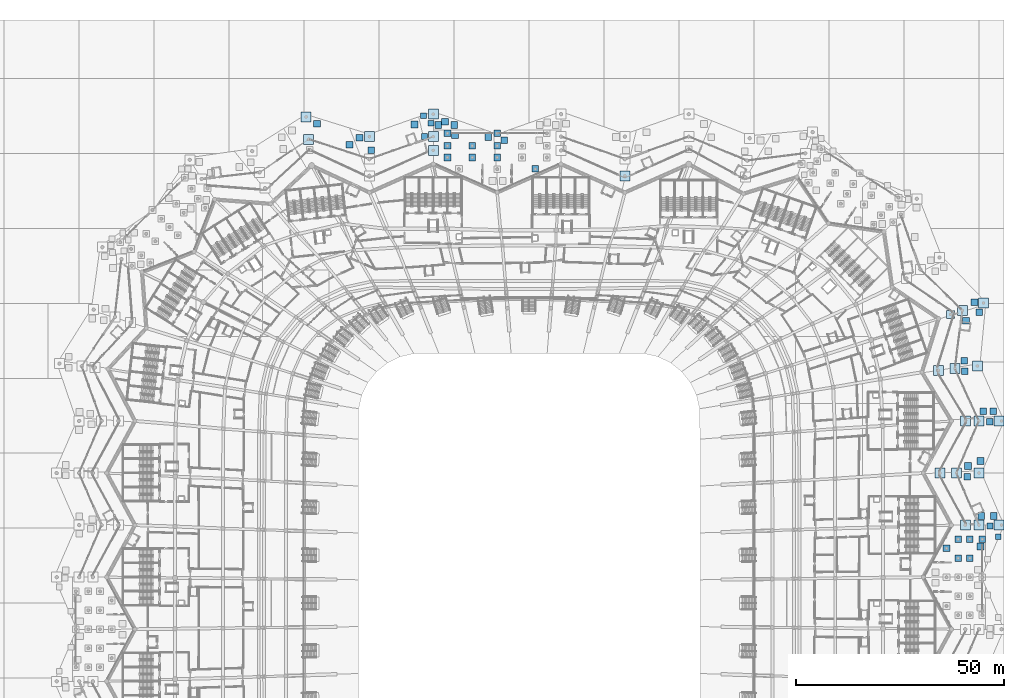
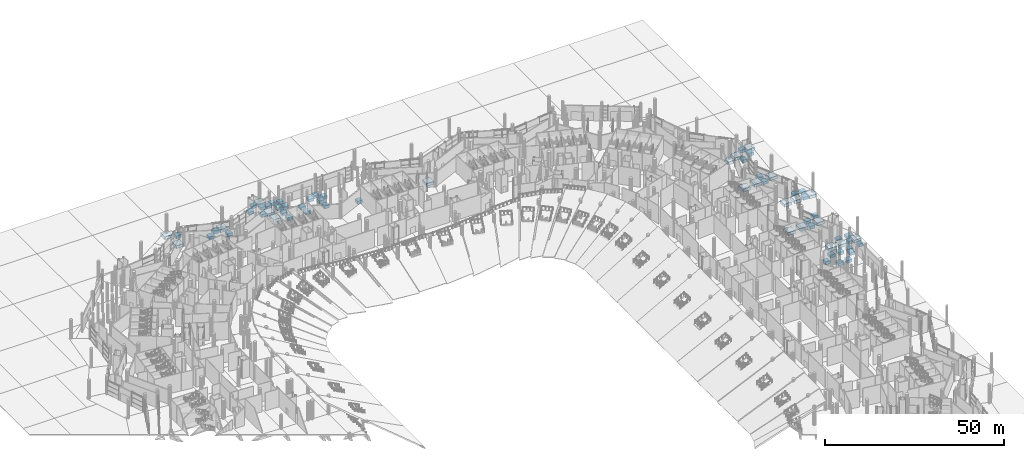
# One storey, part 7 of 255: 67 footings.
"""IFC4 building model written with IfcOpenShell, lengths in metres."""

from ifc_helpers import new_model, si_unit, direction, frame, origin, place, context, subcontext, project, spatial, polyline, outline, extrude, material, type_object, element, save


model = new_model("IFC4")

# Units and contexts
model_context = context("Model", 3, precision=1e-05, world=origin(), true_north=direction((0.0, 1.0)))
body_context = subcontext(model_context, "Body", "Model", "MODEL_VIEW")
ifc_project = project(units=[si_unit("LENGTHUNIT", "METRE"), si_unit("AREAUNIT", "SQUARE_METRE"), si_unit("VOLUMEUNIT", "CUBIC_METRE"), si_unit("PLANEANGLEUNIT", "RADIAN"), si_unit("MASSUNIT", "GRAM", prefix="KILO")], contexts=[model_context])

# Site, building, storey
site_placement = place(None, origin())
site = spatial("IfcSite", under=ifc_project, at=site_placement, CompositionType="ELEMENT")
building_placement = place(site_placement, origin())
building = spatial("IfcBuilding", under=site, at=building_placement, Name="Meseta Stadium", CompositionType="ELEMENT")
storey_placement = place(building_placement, origin())
storey = spatial("IfcBuildingStorey", under=building, at=storey_placement, Name="L00", CompositionType="ELEMENT", Elevation=0.0)

# Footings
ifc_material_1 = material(Name="Concrete C30/37", Category="concrete")
footing_type_1 = type_object("IfcFootingType", Name="Gate pad footing 1400", PredefinedType="PAD_FOOTING", material=ifc_material_1)
footing_1_placement = place(storey_placement, frame((0.0, 0.0, -1.300048828125)))
element("IfcFooting", 1, at=footing_1_placement, inside=storey, type_object=footing_type_1, Name="Paving pad footing", PredefinedType="PAD_FOOTING", context=body_context, shape_type="SweptSolid", body=[
    extrude(outline(polyline([(111.300048828125, 17.864990234375), (111.300048828125, 19.264892578125), (109.89990234375, 19.264892578125), (109.89990234375, 17.864990234375), (111.300048828125, 17.864990234375)])), origin(), (0.0, 0.0, 1.0), 1.0),
])
footing_2_placement = place(storey_placement, frame((0.0, 0.0, -1.300048828125)))
element("IfcFooting", 2, at=footing_2_placement, inside=storey, type_object=footing_type_1, Name="Paving pad footing", PredefinedType="PAD_FOOTING", context=body_context, shape_type="SweptSolid", body=[
    extrude(outline(polyline([(113.300048828125, 15.264892578125), (113.300048828125, 16.6650390625), (111.89990234375, 16.6650390625), (111.89990234375, 15.264892578125), (113.300048828125, 15.264892578125)])), origin(), (0.0, 0.0, 1.0), 1.0),
])
footing_3_placement = place(storey_placement, frame((0.0, 0.0, -1.300048828125)))
element("IfcFooting", 3, at=footing_3_placement, inside=storey, type_object=footing_type_1, Name="Paving pad footing", PredefinedType="PAD_FOOTING", context=body_context, shape_type="SweptSolid", body=[
    extrude(outline(polyline([(-24.4150390625, 111.325927734375), (-24.4150390625, 112.72607421875), (-25.81494140625, 112.72607421875), (-25.81494140625, 111.325927734375), (-24.4150390625, 111.325927734375)])), origin(), (0.0, 0.0, 1.0), 1.0),
])
footing_4_placement = place(storey_placement, frame((0.0, 0.0, -1.300048828125)))
element("IfcFooting", 4, at=footing_4_placement, inside=storey, type_object=footing_type_1, Name="Paving pad footing", PredefinedType="PAD_FOOTING", context=body_context, shape_type="SweptSolid", body=[
    extrude(outline(polyline([(-24.614990234375, 116.325927734375), (-24.614990234375, 117.72607421875), (-26.014892578125, 117.72607421875), (-26.014892578125, 116.325927734375), (-24.614990234375, 116.325927734375)])), origin(), (0.0, 0.0, 1.0), 1.0),
])
footing_5_placement = place(storey_placement, frame((0.0, 0.0, -1.300048828125)))
element("IfcFooting", 5, at=footing_5_placement, inside=storey, type_object=footing_type_1, Name="Paving pad footing", PredefinedType="PAD_FOOTING", context=body_context, shape_type="SweptSolid", body=[
    extrude(outline(polyline([(-22.81494140625, 114.52587890625), (-22.81494140625, 115.926025390625), (-24.215087890625, 115.926025390625), (-24.215087890625, 114.52587890625), (-22.81494140625, 114.52587890625)])), origin(), (0.0, 0.0, 1.0), 1.0),
])
ifc_material_2 = material(Name="Concrete C30/37", Category="concrete")
footing_type_2 = type_object("IfcFootingType", Name="Gate pad footing 1600", PredefinedType="PAD_FOOTING", material=ifc_material_2)
footing_6_placement = place(storey_placement, frame((0.0, 0.0, -1.300048828125)))
element("IfcFooting", 6, at=footing_6_placement, inside=storey, type_object=footing_type_2, Name="Gate 1 pad footing", PredefinedType="PAD_FOOTING", context=body_context, shape_type="SweptSolid", body=[
    extrude(outline(polyline([(101.0, 12.367431640625), (101.0, 13.96728515625), (99.39990234375, 13.96728515625), (99.39990234375, 12.367431640625), (101.0, 12.367431640625)])), origin(), (0.0, 0.0, 1.0), 1.0),
])
footing_7_placement = place(storey_placement, frame((0.0, 0.0, -1.300048828125)))
element("IfcFooting", 7, at=footing_7_placement, inside=storey, type_object=footing_type_2, Name="Gate 1 pad footing", PredefinedType="PAD_FOOTING", context=body_context, shape_type="SweptSolid", body=[
    extrude(outline(polyline([(103.800048828125, 10.0), (103.800048828125, 11.60009765625), (102.199951171875, 11.60009765625), (102.199951171875, 10.0), (103.800048828125, 10.0)])), origin(), (0.0, 0.0, 1.0), 1.0),
])
footing_8_placement = place(storey_placement, frame((0.0, 0.0, -1.300048828125)))
element("IfcFooting", 8, at=footing_8_placement, inside=storey, type_object=footing_type_2, Name="Gate 1 pad footing", PredefinedType="PAD_FOOTING", context=body_context, shape_type="SweptSolid", body=[
    extrude(outline(polyline([(103.800048828125, 14.550048828125), (103.800048828125, 16.14990234375), (102.199951171875, 16.14990234375), (102.199951171875, 14.550048828125), (103.800048828125, 14.550048828125)])), origin(), (0.0, 0.0, 1.0), 1.0),
])
footing_9_placement = place(storey_placement, frame((0.0, 0.0, -1.300048828125)))
element("IfcFooting", 9, at=footing_9_placement, inside=storey, type_object=footing_type_2, Name="Gate 1 pad footing", PredefinedType="PAD_FOOTING", context=body_context, shape_type="SweptSolid", body=[
    extrude(outline(polyline([(106.60009765625, 10.0), (106.60009765625, 11.60009765625), (105.0, 11.60009765625), (105.0, 10.0), (106.60009765625, 10.0)])), origin(), (0.0, 0.0, 1.0), 1.0),
])
footing_10_placement = place(storey_placement, frame((0.0, 0.0, -1.300048828125)))
element("IfcFooting", 10, at=footing_10_placement, inside=storey, type_object=footing_type_2, Name="Gate 1 pad footing", PredefinedType="PAD_FOOTING", context=body_context, shape_type="SweptSolid", body=[
    extrude(outline(polyline([(106.60009765625, 14.550048828125), (106.60009765625, 16.14990234375), (105.0, 16.14990234375), (105.0, 14.550048828125), (106.60009765625, 14.550048828125)])), origin(), (0.0, 0.0, 1.0), 1.0),
])
footing_11_placement = place(storey_placement, frame((0.0, 0.0, -1.300048828125)))
element("IfcFooting", 11, at=footing_11_placement, inside=storey, type_object=footing_type_2, Name="Gate 1 pad footing", PredefinedType="PAD_FOOTING", context=body_context, shape_type="SweptSolid", body=[
    extrude(outline(polyline([(109.60009765625, 14.550048828125), (109.60009765625, 16.14990234375), (108.0, 16.14990234375), (108.0, 14.550048828125), (109.60009765625, 14.550048828125)])), origin(), (0.0, 0.0, 1.0), 1.0),
])
footing_12_placement = place(storey_placement, frame((0.0, 0.0, -1.300048828125)))
element("IfcFooting", 12, at=footing_12_placement, inside=storey, type_object=footing_type_2, Name="Gate 3 pad footing", PredefinedType="PAD_FOOTING", context=body_context, shape_type="SweptSolid", body=[
    extrude(outline(polyline([(2.28857421875, 103.46337890625), (2.28857421875, 105.0634765625), (0.688720703125, 105.0634765625), (0.688720703125, 103.46337890625), (2.28857421875, 103.46337890625)])), origin(), (0.0, 0.0, 1.0), 1.0),
])
footing_13_placement = place(storey_placement, frame((0.0, 0.0, -1.300048828125)))
element("IfcFooting", 13, at=footing_13_placement, inside=storey, type_object=footing_type_2, Name="Gate 3 pad footing", PredefinedType="PAD_FOOTING", context=body_context, shape_type="SweptSolid", body=[
    extrude(outline(polyline([(-6.86669921875, 106.199951171875), (-6.86669921875, 107.800048828125), (-8.466796875, 107.800048828125), (-8.466796875, 106.199951171875), (-6.86669921875, 106.199951171875)])), origin(), (0.0, 0.0, 1.0), 1.0),
])
footing_14_placement = place(storey_placement, frame((0.0, 0.0, -1.300048828125)))
element("IfcFooting", 14, at=footing_14_placement, inside=storey, type_object=footing_type_2, Name="Gate 3 pad footing", PredefinedType="PAD_FOOTING", context=body_context, shape_type="SweptSolid", body=[
    extrude(outline(polyline([(-12.833251953125, 106.199951171875), (-12.833251953125, 107.800048828125), (-14.433349609375, 107.800048828125), (-14.433349609375, 106.199951171875), (-12.833251953125, 106.199951171875)])), origin(), (0.0, 0.0, 1.0), 1.0),
])
footing_15_placement = place(storey_placement, frame((0.0, 0.0, -1.300048828125)))
element("IfcFooting", 15, at=footing_15_placement, inside=storey, type_object=footing_type_2, Name="Gate 3 pad footing", PredefinedType="PAD_FOOTING", context=body_context, shape_type="SweptSolid", body=[
    extrude(outline(polyline([(-18.800048828125, 106.199951171875), (-18.800048828125, 107.800048828125), (-20.39990234375, 107.800048828125), (-20.39990234375, 106.199951171875), (-18.800048828125, 106.199951171875)])), origin(), (0.0, 0.0, 1.0), 1.0),
])
footing_16_placement = place(storey_placement, frame((0.0, 0.0, -1.300048828125)))
element("IfcFooting", 16, at=footing_16_placement, inside=storey, type_object=footing_type_2, Name="Gate 3 pad footing", PredefinedType="PAD_FOOTING", context=body_context, shape_type="SweptSolid", body=[
    extrude(outline(polyline([(-6.86669921875, 109.0), (-6.86669921875, 110.60009765625), (-8.466796875, 110.60009765625), (-8.466796875, 109.0), (-6.86669921875, 109.0)])), origin(), (0.0, 0.0, 1.0), 1.0),
])
footing_17_placement = place(storey_placement, frame((0.0, 0.0, -1.300048828125)))
element("IfcFooting", 17, at=footing_17_placement, inside=storey, type_object=footing_type_2, Name="Gate 3 pad footing", PredefinedType="PAD_FOOTING", context=body_context, shape_type="SweptSolid", body=[
    extrude(outline(polyline([(-12.833251953125, 109.0), (-12.833251953125, 110.60009765625), (-14.433349609375, 110.60009765625), (-14.433349609375, 109.0), (-12.833251953125, 109.0)])), origin(), (0.0, 0.0, 1.0), 1.0),
])
footing_18_placement = place(storey_placement, frame((0.0, 0.0, -1.300048828125)))
element("IfcFooting", 18, at=footing_18_placement, inside=storey, type_object=footing_type_2, Name="Gate 3 pad footing", PredefinedType="PAD_FOOTING", context=body_context, shape_type="SweptSolid", body=[
    extrude(outline(polyline([(-18.800048828125, 109.0), (-18.800048828125, 110.60009765625), (-20.39990234375, 110.60009765625), (-20.39990234375, 109.0), (-18.800048828125, 109.0)])), origin(), (0.0, 0.0, 1.0), 1.0),
])
footing_19_placement = place(storey_placement, frame((0.0, 0.0, -1.300048828125)))
element("IfcFooting", 19, at=footing_19_placement, inside=storey, type_object=footing_type_2, Name="Gate 3 pad footing", PredefinedType="PAD_FOOTING", context=body_context, shape_type="SweptSolid", body=[
    extrude(outline(polyline([(-6.86669921875, 112.0), (-6.86669921875, 113.60009765625), (-8.466796875, 113.60009765625), (-8.466796875, 112.0), (-6.86669921875, 112.0)])), origin(), (0.0, 0.0, 1.0), 1.0),
])
footing_20_placement = place(storey_placement, frame((0.0, 0.0, -1.300048828125)))
element("IfcFooting", 20, at=footing_20_placement, inside=storey, type_object=footing_type_2, Name="Gate 3 pad footing", PredefinedType="PAD_FOOTING", context=body_context, shape_type="SweptSolid", body=[
    extrude(outline(polyline([(-18.800048828125, 112.0), (-18.800048828125, 113.60009765625), (-20.39990234375, 113.60009765625), (-20.39990234375, 112.0), (-18.800048828125, 112.0)])), origin(), (0.0, 0.0, 1.0), 1.0),
])
ifc_material_3 = material(Name="Concrete C30/37", Category="concrete")
footing_type_3 = type_object("IfcFootingType", Name="Ring pad footing 1600", PredefinedType="PAD_FOOTING", material=ifc_material_3)
footing_21_placement = place(storey_placement, frame((0.0, 0.0, -1.300048828125)))
element("IfcFooting", 21, at=footing_21_placement, inside=storey, type_object=footing_type_3, Name="Paving pad footing", PredefinedType="PAD_FOOTING", context=body_context, shape_type="SweptSolid", body=[
    extrude(outline(polyline([(109.155029296875, 12.818115234375), (109.155029296875, 14.41796875), (107.554931640625, 14.41796875), (107.554931640625, 12.818115234375), (109.155029296875, 12.818115234375)])), origin(), (0.0, 0.0, 1.0), 1.0),
])
footing_22_placement = place(storey_placement, frame((0.0, 0.0, -1.300048828125)))
element("IfcFooting", 22, at=footing_22_placement, inside=storey, type_object=footing_type_3, Name="Paving pad footing", PredefinedType="PAD_FOOTING", context=body_context, shape_type="SweptSolid", body=[
    extrude(outline(polyline([(-21.0, 114.0), (-21.0, 115.60009765625), (-22.60009765625, 115.60009765625), (-22.60009765625, 114.0), (-21.0, 114.0)])), origin(), (0.0, 0.0, 1.0), 1.0),
])
footing_23_placement = place(storey_placement, frame((0.0, 0.0, -1.300048828125)))
element("IfcFooting", 23, at=footing_23_placement, inside=storey, type_object=footing_type_3, Name="Paving pad footing", PredefinedType="PAD_FOOTING", context=body_context, shape_type="SweptSolid", body=[
    extrude(outline(polyline([(-17.199951171875, 114.0), (-17.199951171875, 115.60009765625), (-18.800048828125, 115.60009765625), (-18.800048828125, 114.0), (-17.199951171875, 114.0)])), origin(), (0.0, 0.0, 1.0), 1.0),
])
footing_24_placement = place(storey_placement, frame((0.0, 0.0, -1.300048828125)))
element("IfcFooting", 24, at=footing_24_placement, inside=storey, type_object=footing_type_3, Name="Paving pad footing", PredefinedType="PAD_FOOTING", context=body_context, shape_type="SweptSolid", body=[
    extrude(outline(polyline([(-19.39990234375, 114.800048828125), (-19.39990234375, 116.39990234375), (-21.0, 116.39990234375), (-21.0, 114.800048828125), (-19.39990234375, 114.800048828125)])), origin(), (0.0, 0.0, 1.0), 1.0),
])
footing_25_placement = place(storey_placement, frame((0.0, 0.0, -1.300048828125)))
element("IfcFooting", 25, at=footing_25_placement, inside=storey, type_object=footing_type_3, Name="Paving pad footing", PredefinedType="PAD_FOOTING", context=body_context, shape_type="SweptSolid", body=[
    extrude(outline(polyline([(-17.0, 111.532958984375), (-17.0, 113.133056640625), (-18.60009765625, 113.133056640625), (-18.60009765625, 111.532958984375), (-17.0, 111.532958984375)])), origin(), (0.0, 0.0, 1.0), 1.0),
])
footing_26_placement = place(storey_placement, frame((0.0, 0.0, -1.300048828125)))
element("IfcFooting", 26, at=footing_26_placement, inside=storey, type_object=footing_type_3, Name="Paving pad footing", PredefinedType="PAD_FOOTING", context=body_context, shape_type="SweptSolid", body=[
    extrude(outline(polyline([(-9.0, 111.133056640625), (-9.0, 112.73291015625), (-10.60009765625, 112.73291015625), (-10.60009765625, 111.133056640625), (-9.0, 111.133056640625)])), origin(), (0.0, 0.0, 1.0), 1.0),
])
footing_27_placement = place(storey_placement, frame((0.0, 0.0, -1.300048828125)))
element("IfcFooting", 27, at=footing_27_placement, inside=storey, type_object=footing_type_3, Name="Paving pad footing", PredefinedType="PAD_FOOTING", context=body_context, shape_type="SweptSolid", body=[
    extrude(outline(polyline([(-5.132080078125, 110.3330078125), (-5.132080078125, 111.93310546875), (-6.73193359375, 111.93310546875), (-6.73193359375, 110.3330078125), (-5.132080078125, 110.3330078125)])), origin(), (0.0, 0.0, 1.0), 1.0),
])
footing_28_placement = place(storey_placement, frame((0.0, 0.0, -1.300048828125)))
element("IfcFooting", 28, at=footing_28_placement, inside=storey, type_object=footing_type_3, Name="Paving pad footing", PredefinedType="PAD_FOOTING", context=body_context, shape_type="SweptSolid", body=[
    extrude(outline(polyline([(107.718994140625, 71.472900390625), (107.718994140625, 73.072998046875), (106.118896484375, 73.072998046875), (106.118896484375, 71.472900390625), (107.718994140625, 71.472900390625)])), origin(), (0.0, 0.0, 1.0), 1.0),
])
footing_29_placement = place(storey_placement, frame((0.0, 0.0, -1.300048828125)))
element("IfcFooting", 29, at=footing_29_placement, inside=storey, type_object=footing_type_3, Name="Paving pad footing", PredefinedType="PAD_FOOTING", context=body_context, shape_type="SweptSolid", body=[
    extrude(outline(polyline([(108.89404296875, 69.006103515625), (108.89404296875, 70.60595703125), (107.2939453125, 70.60595703125), (107.2939453125, 69.006103515625), (108.89404296875, 69.006103515625)])), origin(), (0.0, 0.0, 1.0), 1.0),
])
footing_30_placement = place(storey_placement, frame((0.0, 0.0, -1.300048828125)))
element("IfcFooting", 30, at=footing_30_placement, inside=storey, type_object=footing_type_3, Name="Paving pad footing", PredefinedType="PAD_FOOTING", context=body_context, shape_type="SweptSolid", body=[
    extrude(outline(polyline([(105.2939453125, 57.406005859375), (105.2939453125, 59.006103515625), (103.694091796875, 59.006103515625), (103.694091796875, 57.406005859375), (105.2939453125, 57.406005859375)])), origin(), (0.0, 0.0, 1.0), 1.0),
])
footing_31_placement = place(storey_placement, frame((0.0, 0.0, -1.300048828125)))
element("IfcFooting", 31, at=footing_31_placement, inside=storey, type_object=footing_type_3, Name="Paving pad footing", PredefinedType="PAD_FOOTING", context=body_context, shape_type="SweptSolid", body=[
    extrude(outline(polyline([(105.694091796875, 67.006103515625), (105.694091796875, 68.60595703125), (104.093994140625, 68.60595703125), (104.093994140625, 67.006103515625), (105.694091796875, 67.006103515625)])), origin(), (0.0, 0.0, 1.0), 1.0),
])
footing_32_placement = place(storey_placement, frame((0.0, 0.0, -1.300048828125)))
element("IfcFooting", 32, at=footing_32_placement, inside=storey, type_object=footing_type_3, Name="Paving pad footing", PredefinedType="PAD_FOOTING", context=body_context, shape_type="SweptSolid", body=[
    extrude(outline(polyline([(112.2109375, 45.2919921875), (112.2109375, 46.89208984375), (110.611083984375, 46.89208984375), (110.611083984375, 45.2919921875), (112.2109375, 45.2919921875)])), origin(), (0.0, 0.0, 1.0), 1.0),
])
footing_33_placement = place(storey_placement, frame((0.0, 0.0, -1.300048828125)))
element("IfcFooting", 33, at=footing_33_placement, inside=storey, type_object=footing_type_3, Name="Paving pad footing", PredefinedType="PAD_FOOTING", context=body_context, shape_type="SweptSolid", body=[
    extrude(outline(polyline([(105.410888671875, 54.89208984375), (105.410888671875, 56.491943359375), (103.81103515625, 56.491943359375), (103.81103515625, 54.89208984375), (105.410888671875, 54.89208984375)])), origin(), (0.0, 0.0, 1.0), 1.0),
])
footing_34_placement = place(storey_placement, frame((0.0, 0.0, -1.300048828125)))
element("IfcFooting", 34, at=footing_34_placement, inside=storey, type_object=footing_type_3, Name="Paving pad footing", PredefinedType="PAD_FOOTING", context=body_context, shape_type="SweptSolid", body=[
    extrude(outline(polyline([(109.81103515625, 45.2919921875), (109.81103515625, 46.89208984375), (108.2109375, 46.89208984375), (108.2109375, 45.2919921875), (109.81103515625, 45.2919921875)])), origin(), (0.0, 0.0, 1.0), 1.0),
])
footing_35_placement = place(storey_placement, frame((0.0, 0.0, -1.300048828125)))
element("IfcFooting", 35, at=footing_35_placement, inside=storey, type_object=footing_type_3, Name="Paving pad footing", PredefinedType="PAD_FOOTING", context=body_context, shape_type="SweptSolid", body=[
    extrude(outline(polyline([(106.158935546875, 32.1279296875), (106.158935546875, 33.72802734375), (104.55908203125, 33.72802734375), (104.55908203125, 32.1279296875), (106.158935546875, 32.1279296875)])), origin(), (0.0, 0.0, 1.0), 1.0),
])
footing_36_placement = place(storey_placement, frame((0.0, 0.0, -1.300048828125)))
element("IfcFooting", 36, at=footing_36_placement, inside=storey, type_object=footing_type_3, Name="Paving pad footing", PredefinedType="PAD_FOOTING", context=body_context, shape_type="SweptSolid", body=[
    extrude(outline(polyline([(111.35888671875, 42.72802734375), (111.35888671875, 44.327880859375), (109.759033203125, 44.327880859375), (109.759033203125, 42.72802734375), (111.35888671875, 42.72802734375)])), origin(), (0.0, 0.0, 1.0), 1.0),
])
footing_37_placement = place(storey_placement, frame((0.0, 0.0, -1.300048828125)))
element("IfcFooting", 37, at=footing_37_placement, inside=storey, type_object=footing_type_3, Name="Paving pad footing", PredefinedType="PAD_FOOTING", context=body_context, shape_type="SweptSolid", body=[
    extrude(outline(polyline([(109.158935546875, 33.327880859375), (109.158935546875, 34.927978515625), (107.55908203125, 34.927978515625), (107.55908203125, 33.327880859375), (109.158935546875, 33.327880859375)])), origin(), (0.0, 0.0, 1.0), 1.0),
])
footing_38_placement = place(storey_placement, frame((0.0, 0.0, -1.300048828125)))
element("IfcFooting", 38, at=footing_38_placement, inside=storey, type_object=footing_type_3, Name="Paving pad footing", PredefinedType="PAD_FOOTING", context=body_context, shape_type="SweptSolid", body=[
    extrude(outline(polyline([(105.958984375, 29.550048828125), (105.958984375, 31.14990234375), (104.35888671875, 31.14990234375), (104.35888671875, 29.550048828125), (105.958984375, 29.550048828125)])), origin(), (0.0, 0.0, 1.0), 1.0),
])
footing_39_placement = place(storey_placement, frame((0.0, 0.0, -1.300048828125)))
element("IfcFooting", 39, at=footing_39_placement, inside=storey, type_object=footing_type_3, Name="Paving pad footing", PredefinedType="PAD_FOOTING", context=body_context, shape_type="SweptSolid", body=[
    extrude(outline(polyline([(112.35888671875, 20.14990234375), (112.35888671875, 21.75), (110.759033203125, 21.75), (110.759033203125, 20.14990234375), (112.35888671875, 20.14990234375)])), origin(), (0.0, 0.0, 1.0), 1.0),
])
footing_40_placement = place(storey_placement, frame((0.0, 0.0, -1.300048828125)))
element("IfcFooting", 40, at=footing_40_placement, inside=storey, type_object=footing_type_3, Name="Paving pad footing", PredefinedType="PAD_FOOTING", context=body_context, shape_type="SweptSolid", body=[
    extrude(outline(polyline([(109.35888671875, 20.14990234375), (109.35888671875, 21.75), (107.759033203125, 21.75), (107.759033203125, 20.14990234375), (109.35888671875, 20.14990234375)])), origin(), (0.0, 0.0, 1.0), 1.0),
])
footing_41_placement = place(storey_placement, frame((0.0, 0.0, -1.300048828125)))
element("IfcFooting", 41, at=footing_41_placement, inside=storey, type_object=footing_type_3, Name="Paving pad footing", PredefinedType="PAD_FOOTING", context=body_context, shape_type="SweptSolid", body=[
    extrude(outline(polyline([(-42.3291015625, 109.291015625), (-42.3291015625, 110.89111328125), (-43.928955078125, 110.89111328125), (-43.928955078125, 109.291015625), (-42.3291015625, 109.291015625)])), origin(), (0.0, 0.0, 1.0), 1.0),
])
footing_42_placement = place(storey_placement, frame((0.0, 0.0, -1.300048828125)))
element("IfcFooting", 42, at=footing_42_placement, inside=storey, type_object=footing_type_3, Name="Paving pad footing", PredefinedType="PAD_FOOTING", context=body_context, shape_type="SweptSolid", body=[
    extrude(outline(polyline([(-50.12890625, 114.291015625), (-50.12890625, 115.89111328125), (-51.72900390625, 115.89111328125), (-51.72900390625, 114.291015625), (-50.12890625, 114.291015625)])), origin(), (0.0, 0.0, 1.0), 1.0),
])
footing_43_placement = place(storey_placement, frame((0.0, 0.0, -1.300048828125)))
element("IfcFooting", 43, at=footing_43_placement, inside=storey, type_object=footing_type_3, Name="Paving pad footing", PredefinedType="PAD_FOOTING", context=body_context, shape_type="SweptSolid", body=[
    extrude(outline(polyline([(-26.718017578125, 114.125), (-26.718017578125, 115.72509765625), (-28.318115234375, 115.72509765625), (-28.318115234375, 114.125), (-26.718017578125, 114.125)])), origin(), (0.0, 0.0, 1.0), 1.0),
])
footing_44_placement = place(storey_placement, frame((0.0, 0.0, -1.300048828125)))
element("IfcFooting", 44, at=footing_44_placement, inside=storey, type_object=footing_type_3, Name="Paving pad footing", PredefinedType="PAD_FOOTING", context=body_context, shape_type="SweptSolid", body=[
    extrude(outline(polyline([(-39.91796875, 110.925048828125), (-39.91796875, 112.52490234375), (-41.51806640625, 112.52490234375), (-41.51806640625, 110.925048828125), (-39.91796875, 110.925048828125)])), origin(), (0.0, 0.0, 1.0), 1.0),
])
footing_45_placement = place(storey_placement, frame((0.0, 0.0, -1.300048828125)))
element("IfcFooting", 45, at=footing_45_placement, inside=storey, type_object=footing_type_3, Name="Paving pad footing", PredefinedType="PAD_FOOTING", context=body_context, shape_type="SweptSolid", body=[
    extrude(outline(polyline([(-37.117919921875, 107.925048828125), (-37.117919921875, 109.52490234375), (-38.718017578125, 109.52490234375), (-38.718017578125, 107.925048828125), (-37.117919921875, 107.925048828125)])), origin(), (0.0, 0.0, 1.0), 1.0),
])
ifc_material_4 = material(Name="Concrete C30/37", Category="concrete")
footing_type_4 = type_object("IfcFootingType", Name="Ring pad footing 2000", PredefinedType="PAD_FOOTING", material=ifc_material_4)
footing_46_placement = place(storey_placement, frame((0.0, 0.0, -1.300048828125)))
element("IfcFooting", 46, at=footing_46_placement, inside=storey, type_object=footing_type_4, Name="Ring pad footing F10M", PredefinedType="PAD_FOOTING", context=body_context, shape_type="SweptSolid", body=[
    extrude(outline(polyline([(102.140380859375, 68.29443359375), (102.140380859375, 70.29443359375), (100.140380859375, 70.29443359375), (100.140380859375, 68.29443359375), (102.140380859375, 68.29443359375)])), origin(), (0.0, 0.0, 1.0), 1.0),
])
ifc_material_5 = material(Name="Concrete C30/37", Category="concrete")
footing_type_5 = type_object("IfcFootingType", Name="Ring pad footing 2400", PredefinedType="PAD_FOOTING", material=ifc_material_5)
footing_47_placement = place(storey_placement, frame((0.0, 0.0, -1.300048828125)))
element("IfcFooting", 47, at=footing_47_placement, inside=storey, type_object=footing_type_5, Name="Ring pad footing F06M", PredefinedType="PAD_FOOTING", context=body_context, shape_type="SweptSolid", body=[
    extrude(outline(polyline([(105.89990234375, 17.550048828125), (105.89990234375, 19.949951171875), (103.5, 19.949951171875), (103.5, 17.550048828125), (105.89990234375, 17.550048828125)])), origin(), (0.0, 0.0, 1.0), 1.0),
])
footing_48_placement = place(storey_placement, frame((0.0, 0.0, -1.300048828125)))
element("IfcFooting", 48, at=footing_48_placement, inside=storey, type_object=footing_type_5, Name="Ring pad footing F06Q", PredefinedType="PAD_FOOTING", context=body_context, shape_type="SweptSolid", body=[
    extrude(outline(polyline([(109.199951171875, 17.550048828125), (109.199951171875, 19.949951171875), (106.800048828125, 19.949951171875), (106.800048828125, 17.550048828125), (109.199951171875, 17.550048828125)])), origin(), (0.0, 0.0, 1.0), 1.0),
])
footing_49_placement = place(storey_placement, frame((0.0, 0.0, -1.300048828125)))
element("IfcFooting", 49, at=footing_49_placement, inside=storey, type_object=footing_type_5, Name="Ring pad footing F06O", PredefinedType="PAD_FOOTING", context=body_context, shape_type="SweptSolid", body=[
    extrude(outline(polyline([(114.0, 17.550048828125), (114.0, 19.949951171875), (111.60009765625, 19.949951171875), (111.60009765625, 17.550048828125), (114.0, 17.550048828125)])), origin(), (0.0, 0.0, 1.0), 1.0),
])
footing_50_placement = place(storey_placement, frame((0.0, 0.0, -1.300048828125)))
element("IfcFooting", 50, at=footing_50_placement, inside=storey, type_object=footing_type_5, Name="Ring pad footing F07M", PredefinedType="PAD_FOOTING", context=body_context, shape_type="SweptSolid", body=[
    extrude(outline(polyline([(99.800048828125, 30.050048828125), (99.800048828125, 32.449951171875), (97.39990234375, 32.449951171875), (97.39990234375, 30.050048828125), (99.800048828125, 30.050048828125)])), origin(), (0.0, 0.0, 1.0), 1.0),
])
footing_51_placement = place(storey_placement, frame((0.0, 0.0, -1.300048828125)))
element("IfcFooting", 51, at=footing_51_placement, inside=storey, type_object=footing_type_5, Name="Ring pad footing F07Q", PredefinedType="PAD_FOOTING", context=body_context, shape_type="SweptSolid", body=[
    extrude(outline(polyline([(103.800048828125, 30.050048828125), (103.800048828125, 32.449951171875), (101.39990234375, 32.449951171875), (101.39990234375, 30.050048828125), (103.800048828125, 30.050048828125)])), origin(), (0.0, 0.0, 1.0), 1.0),
])
footing_52_placement = place(storey_placement, frame((0.0, 0.0, -1.300048828125)))
element("IfcFooting", 52, at=footing_52_placement, inside=storey, type_object=footing_type_5, Name="Ring pad footing F07O", PredefinedType="PAD_FOOTING", context=body_context, shape_type="SweptSolid", body=[
    extrude(outline(polyline([(109.199951171875, 30.050048828125), (109.199951171875, 32.449951171875), (106.800048828125, 32.449951171875), (106.800048828125, 30.050048828125), (109.199951171875, 30.050048828125)])), origin(), (0.0, 0.0, 1.0), 1.0),
])
footing_53_placement = place(storey_placement, frame((0.0, 0.0, -1.300048828125)))
element("IfcFooting", 53, at=footing_53_placement, inside=storey, type_object=footing_type_5, Name="Ring pad footing F08M", PredefinedType="PAD_FOOTING", context=body_context, shape_type="SweptSolid", body=[
    extrude(outline(polyline([(105.89990234375, 42.550048828125), (105.89990234375, 44.949951171875), (103.5, 44.949951171875), (103.5, 42.550048828125), (105.89990234375, 42.550048828125)])), origin(), (0.0, 0.0, 1.0), 1.0),
])
footing_54_placement = place(storey_placement, frame((0.0, 0.0, -1.300048828125)))
element("IfcFooting", 54, at=footing_54_placement, inside=storey, type_object=footing_type_5, Name="Ring pad footing F08Q", PredefinedType="PAD_FOOTING", context=body_context, shape_type="SweptSolid", body=[
    extrude(outline(polyline([(109.199951171875, 42.550048828125), (109.199951171875, 44.949951171875), (106.800048828125, 44.949951171875), (106.800048828125, 42.550048828125), (109.199951171875, 42.550048828125)])), origin(), (0.0, 0.0, 1.0), 1.0),
])
footing_55_placement = place(storey_placement, frame((0.0, 0.0, -1.300048828125)))
element("IfcFooting", 55, at=footing_55_placement, inside=storey, type_object=footing_type_5, Name="Ring pad footing F08O", PredefinedType="PAD_FOOTING", context=body_context, shape_type="SweptSolid", body=[
    extrude(outline(polyline([(114.0, 42.550048828125), (114.0, 44.949951171875), (111.60009765625, 44.949951171875), (111.60009765625, 42.550048828125), (114.0, 42.550048828125)])), origin(), (0.0, 0.0, 1.0), 1.0),
])
footing_56_placement = place(storey_placement, frame((0.0, 0.0, -1.300048828125)))
element("IfcFooting", 56, at=footing_56_placement, inside=storey, type_object=footing_type_5, Name="Ring pad footing F09M", PredefinedType="PAD_FOOTING", context=body_context, shape_type="SweptSolid", body=[
    extrude(outline(polyline([(99.46923828125, 54.689208984375), (99.46923828125, 57.08935546875), (97.0693359375, 57.08935546875), (97.0693359375, 54.689208984375), (99.46923828125, 54.689208984375)])), origin(), (0.0, 0.0, 1.0), 1.0),
])
footing_57_placement = place(storey_placement, frame((0.0, 0.0, -1.300048828125)))
element("IfcFooting", 57, at=footing_57_placement, inside=storey, type_object=footing_type_5, Name="Ring pad footing F09Q", PredefinedType="PAD_FOOTING", context=body_context, shape_type="SweptSolid", body=[
    extrude(outline(polyline([(103.444091796875, 55.13720703125), (103.444091796875, 57.537109375), (101.044189453125, 57.537109375), (101.044189453125, 55.13720703125), (103.444091796875, 55.13720703125)])), origin(), (0.0, 0.0, 1.0), 1.0),
])
footing_58_placement = place(storey_placement, frame((0.0, 0.0, -1.300048828125)))
element("IfcFooting", 58, at=footing_58_placement, inside=storey, type_object=footing_type_5, Name="Ring pad footing F09O", PredefinedType="PAD_FOOTING", context=body_context, shape_type="SweptSolid", body=[
    extrude(outline(polyline([(108.810302734375, 55.74169921875), (108.810302734375, 58.141845703125), (106.41015625, 58.141845703125), (106.41015625, 55.74169921875), (108.810302734375, 55.74169921875)])), origin(), (0.0, 0.0, 1.0), 1.0),
])
footing_59_placement = place(storey_placement, frame((0.0, 0.0, -1.300048828125)))
element("IfcFooting", 59, at=footing_59_placement, inside=storey, type_object=footing_type_5, Name="Ring pad footing F10Q", PredefinedType="PAD_FOOTING", context=body_context, shape_type="SweptSolid", body=[
    extrude(outline(polyline([(105.18994140625, 69.091552734375), (105.18994140625, 71.49169921875), (102.789794921875, 71.49169921875), (102.789794921875, 69.091552734375), (105.18994140625, 69.091552734375)])), origin(), (0.0, 0.0, 1.0), 1.0),
])
footing_60_placement = place(storey_placement, frame((0.0, 0.0, -1.300048828125)))
element("IfcFooting", 60, at=footing_60_placement, inside=storey, type_object=footing_type_5, Name="Ring pad footing F10O", PredefinedType="PAD_FOOTING", context=body_context, shape_type="SweptSolid", body=[
    extrude(outline(polyline([(110.286865234375, 70.875), (110.286865234375, 73.275146484375), (107.886962890625, 73.275146484375), (107.886962890625, 70.875), (110.286865234375, 70.875)])), origin(), (0.0, 0.0, 1.0), 1.0),
])
footing_61_placement = place(storey_placement, frame((0.0, 0.0, -1.300048828125)))
element("IfcFooting", 61, at=footing_61_placement, inside=storey, type_object=footing_type_5, Name="Ring pad footing F17M", PredefinedType="PAD_FOOTING", context=body_context, shape_type="SweptSolid", body=[
    extrude(outline(polyline([(24.199951171875, 101.39990234375), (24.199951171875, 103.800048828125), (21.800048828125, 103.800048828125), (21.800048828125, 101.39990234375), (24.199951171875, 101.39990234375)])), origin(), (0.0, 0.0, 1.0), 1.0),
])
footing_62_placement = place(storey_placement, frame((0.0, 0.0, -1.300048828125)))
element("IfcFooting", 62, at=footing_62_placement, inside=storey, type_object=footing_type_5, Name="Ring pad footing F20M", PredefinedType="PAD_FOOTING", context=body_context, shape_type="SweptSolid", body=[
    extrude(outline(polyline([(-21.800048828125, 107.5), (-21.800048828125, 109.89990234375), (-24.199951171875, 109.89990234375), (-24.199951171875, 107.5), (-21.800048828125, 107.5)])), origin(), (0.0, 0.0, 1.0), 1.0),
])
footing_63_placement = place(storey_placement, frame((0.0, 0.0, -1.300048828125)))
element("IfcFooting", 63, at=footing_63_placement, inside=storey, type_object=footing_type_5, Name="Ring pad footing F20Q", PredefinedType="PAD_FOOTING", context=body_context, shape_type="SweptSolid", body=[
    extrude(outline(polyline([(-21.800048828125, 110.800048828125), (-21.800048828125, 113.199951171875), (-24.199951171875, 113.199951171875), (-24.199951171875, 110.800048828125), (-21.800048828125, 110.800048828125)])), origin(), (0.0, 0.0, 1.0), 1.0),
])
footing_64_placement = place(storey_placement, frame((0.0, 0.0, -1.300048828125)))
element("IfcFooting", 64, at=footing_64_placement, inside=storey, type_object=footing_type_5, Name="Ring pad footing F20O", PredefinedType="PAD_FOOTING", context=body_context, shape_type="SweptSolid", body=[
    extrude(outline(polyline([(-21.800048828125, 116.199951171875), (-21.800048828125, 118.60009765625), (-24.199951171875, 118.60009765625), (-24.199951171875, 116.199951171875), (-21.800048828125, 116.199951171875)])), origin(), (0.0, 0.0, 1.0), 1.0),
])
footing_65_placement = place(storey_placement, frame((0.0, 0.0, -1.300048828125)))
element("IfcFooting", 65, at=footing_65_placement, inside=storey, type_object=footing_type_5, Name="Ring pad footing F21O", PredefinedType="PAD_FOOTING", context=body_context, shape_type="SweptSolid", body=[
    extrude(outline(polyline([(-37.13330078125, 110.800048828125), (-37.13330078125, 113.199951171875), (-39.533203125, 113.199951171875), (-39.533203125, 110.800048828125), (-37.13330078125, 110.800048828125)])), origin(), (0.0, 0.0, 1.0), 1.0),
])
footing_66_placement = place(storey_placement, frame((0.0, 0.0, -1.300048828125)))
element("IfcFooting", 66, at=footing_66_placement, inside=storey, type_object=footing_type_5, Name="Ring pad footing F22Q", PredefinedType="PAD_FOOTING", context=body_context, shape_type="SweptSolid", body=[
    extrude(outline(polyline([(-51.715087890625, 110.17236328125), (-51.715087890625, 112.572509765625), (-54.114990234375, 112.572509765625), (-54.114990234375, 110.17236328125), (-51.715087890625, 110.17236328125)])), origin(), (0.0, 0.0, 1.0), 1.0),
])
footing_67_placement = place(storey_placement, frame((0.0, 0.0, -1.300048828125)))
element("IfcFooting", 67, at=footing_67_placement, inside=storey, type_object=footing_type_5, Name="Ring pad footing F22O", PredefinedType="PAD_FOOTING", context=body_context, shape_type="SweptSolid", body=[
    extrude(outline(polyline([(-52.319580078125, 115.538330078125), (-52.319580078125, 117.9384765625), (-54.719482421875, 117.9384765625), (-54.719482421875, 115.538330078125), (-52.319580078125, 115.538330078125)])), origin(), (0.0, 0.0, 1.0), 1.0),
])

save(model, "model.ifc")
